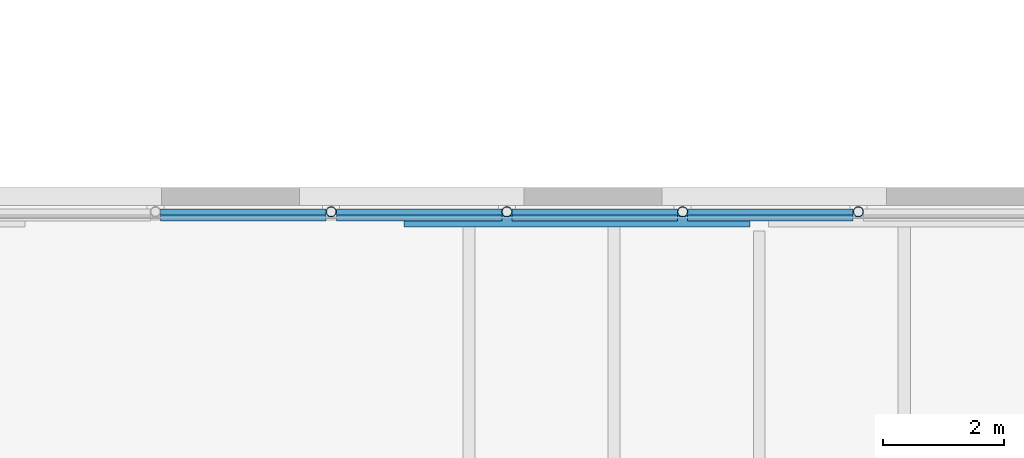
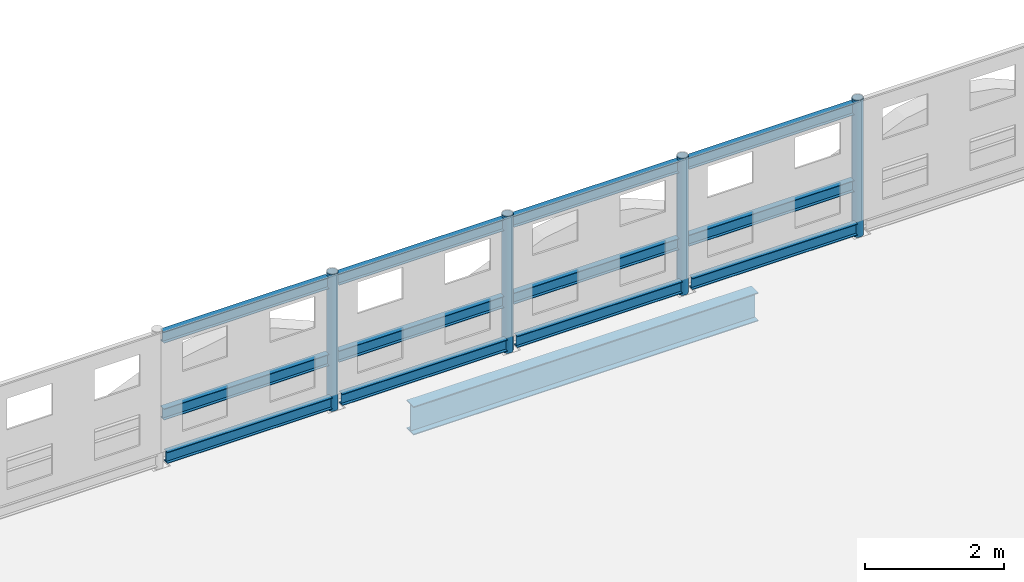
# One storey, part 33 of 91: 16 members, 1 beam.
"""IFC4 building model written with IfcOpenShell, lengths in metres."""

from ifc_helpers import new_model, si_unit, direction, frame, origin, origin_2d, place, context, subcontext, project, spatial, hollow_circle, i_section, extrude, material, material_profile, profile_set, type_object, element, save


model = new_model("IFC4")

# Units and contexts
model_context = context("Model", 3, precision=1e-05, world=origin(), true_north=direction((0.0, 1.0)))
body_context = subcontext(model_context, "Body", "Model", "MODEL_VIEW")
ifc_project = project(units=[si_unit("LENGTHUNIT", "METRE"), si_unit("AREAUNIT", "SQUARE_METRE"), si_unit("VOLUMEUNIT", "CUBIC_METRE"), si_unit("PLANEANGLEUNIT", "RADIAN"), si_unit("MASSUNIT", "GRAM", prefix="KILO")], contexts=[model_context])

# Site, building, storey
site_placement = place(None, origin())
site = spatial("IfcSite", under=ifc_project, at=site_placement, CompositionType="ELEMENT")
building_placement = place(site_placement, origin())
building = spatial("IfcBuilding", under=site, at=building_placement, Name="Ravi Spectrum Wholesale Market", CompositionType="ELEMENT")
storey_placement = place(building_placement, frame((0.0, 0.0, 16.199951171875)))
storey = spatial("IfcBuildingStorey", under=building, at=storey_placement, Name="ROOF PLANT LEVEL", CompositionType="ELEMENT", Elevation=16.199951171875)

# Members
ifc_material_1 = material(Name="Steel S355", Category="steel")
ifc_material_profile_1 = material_profile(ifc_material_1, hollow_circle(Radius=0.084228515625, WallThickness=0.00634765625, at=origin_2d()))
ifc_profile_set_1 = profile_set([ifc_material_profile_1], Name="Steel S355")
member_type_1 = type_object("IfcMemberType", Name="CHS 168.3x6.3 post", PredefinedType="POST", material=ifc_profile_set_1)
for number, where, z_axis, x_axis, name in (
    (1, (235.6396484375, 66.14990234375, 0.0), (0.0, 0.0, 1.0), (1.0, 0.0, 0.0), "CS-MB-ROOF-063"),
    (2, (232.732666015625, 66.14990234375, 0.0), (0.0, 0.0, 1.0), (1.0, 0.0, 0.0), "CS-MB-ROOF-064"),
    (3, (229.825927734375, 66.14990234375, 0.0), (0.0, 0.0, 1.0), (1.0, 0.0, 0.0), "CS-MB-ROOF-065"),
    (4, (226.9189453125, 66.14990234375, 0.0), (0.0, 0.0, 1.0), (1.0, 0.0, 0.0), "CS-MB-ROOF-066"),
):
    element("IfcMember", number, at=place(storey_placement, frame(where, z_axis=z_axis, x_axis=x_axis)), inside=storey, type_object=member_type_1, Name=name, PredefinedType="POST", context=body_context, shape_type="SweptSolid", body=[
        extrude(hollow_circle(Radius=0.084228515625, WallThickness=0.00634765625, at=origin_2d()), origin(), (0.0, 0.0, 1.0), 2.400146484375),
    ])
ifc_material_2 = material(Name="Steel S355", Category="steel")
ifc_material_profile_2 = material_profile(ifc_material_2, i_section(OverallWidth=0.10009765625, OverallDepth=0.199951171875, WebThickness=0.005615234375, FlangeThickness=0.008544921875, at=origin_2d()))
ifc_profile_set_2 = profile_set([ifc_material_profile_2], Name="Steel S355")
member_type_2 = type_object("IfcMemberType", Name="IPE 200 purlin", PredefinedType="PURLIN", material=ifc_profile_set_2)
for number, where, z_axis, x_axis, name in (
    (5, (235.555419921875, 66.14990234375, 0.900146484375), (-1.0, 0.0, 0.0), (0.0, -1.0, 0.0), "CS-MB-ROOF-273"),
    (6, (235.555419921875, 66.14990234375, 2.25), (-1.0, 0.0, 0.0), (0.0, -1.0, 0.0), "CS-MB-ROOF-274"),
    (7, (235.555419921875, 66.05078125, 0.199951171875), (-1.0, 0.0, 0.0), (0.0, -1.0, 0.0), "CS-MB-ROOF-275"),
):
    element("IfcMember", number, at=place(storey_placement, frame(where, z_axis=z_axis, x_axis=x_axis)), inside=storey, type_object=member_type_2, Name=name, PredefinedType="PURLIN", context=body_context, shape_type="SweptSolid", body=[
        extrude(i_section(OverallWidth=0.10009765625, OverallDepth=0.199951171875, WebThickness=0.005615234375, FlangeThickness=0.008544921875, at=origin_2d()), origin(), (0.0, 0.0, 1.0), 2.738525390625),
    ])
for number, where, z_axis, x_axis, name in (
    (8, (232.648681640625, 66.14990234375, 0.900146484375), (-1.0, 0.0, 0.0), (0.0, -1.0, 0.0), "CS-MB-ROOF-276"),
    (9, (232.648681640625, 66.14990234375, 2.25), (-1.0, 0.0, 0.0), (0.0, -1.0, 0.0), "CS-MB-ROOF-277"),
    (10, (232.648681640625, 66.05078125, 0.199951171875), (-1.0, 0.0, 0.0), (0.0, -1.0, 0.0), "CS-MB-ROOF-278"),
):
    element("IfcMember", number, at=place(storey_placement, frame(where, z_axis=z_axis, x_axis=x_axis)), inside=storey, type_object=member_type_2, Name=name, PredefinedType="PURLIN", context=body_context, shape_type="SweptSolid", body=[
        extrude(i_section(OverallWidth=0.10009765625, OverallDepth=0.199951171875, WebThickness=0.005615234375, FlangeThickness=0.008544921875, at=origin_2d()), origin(), (0.0, 0.0, 1.0), 2.73876953125),
    ])
for number, where, z_axis, x_axis, name in (
    (11, (229.74169921875, 66.14990234375, 0.900146484375), (-1.0, 0.0, 0.0), (0.0, -1.0, 0.0), "CS-MB-ROOF-279"),
    (12, (229.74169921875, 66.14990234375, 2.25), (-1.0, 0.0, 0.0), (0.0, -1.0, 0.0), "CS-MB-ROOF-280"),
    (13, (229.74169921875, 66.05078125, 0.199951171875), (-1.0, 0.0, 0.0), (0.0, -1.0, 0.0), "CS-MB-ROOF-281"),
    (14, (226.834716796875, 66.14990234375, 0.900146484375), (-1.0, 0.0, 0.0), (0.0, -1.0, 0.0), "CS-MB-ROOF-282"),
    (15, (226.834716796875, 66.14990234375, 2.25), (-1.0, 0.0, 0.0), (0.0, -1.0, 0.0), "CS-MB-ROOF-283"),
    (16, (226.834716796875, 66.05078125, 0.199951171875), (-1.0, 0.0, 0.0), (0.0, -1.0, 0.0), "CS-MB-ROOF-284"),
):
    element("IfcMember", number, at=place(storey_placement, frame(where, z_axis=z_axis, x_axis=x_axis)), inside=storey, type_object=member_type_2, Name=name, PredefinedType="PURLIN", context=body_context, shape_type="SweptSolid", body=[
        extrude(i_section(OverallWidth=0.10009765625, OverallDepth=0.199951171875, WebThickness=0.005615234375, FlangeThickness=0.008544921875, at=origin_2d()), origin(), (0.0, 0.0, 1.0), 2.738525390625),
    ])

# Beam
ifc_material_3 = material(Name="Steel S355", Category="steel")
ifc_material_profile_3 = material_profile(ifc_material_3, i_section(OverallWidth=0.199951171875, OverallDepth=0.5, WebThickness=0.01025390625, FlangeThickness=0.01611328125, at=origin_2d()))
ifc_profile_set_3 = profile_set([ifc_material_profile_3], Name="Steel S355")
beam_type = type_object("IfcBeamType", Name="IPE 500 beam", PredefinedType="BEAM", material=ifc_profile_set_3)
beam_placement = place(storey_placement, frame((228.125, 66.0, -0.5), z_axis=(1.0, 0.0, 0.0), x_axis=(0.0, 1.0, 0.0)))
element("IfcBeam", 17, at=beam_placement, inside=storey, type_object=beam_type, Name="CS-BM-ROOF-031", PredefinedType="BEAM", context=body_context, shape_type="SweptSolid", body=[
    extrude(i_section(OverallWidth=0.199951171875, OverallDepth=0.5, WebThickness=0.01025390625, FlangeThickness=0.01611328125, at=origin_2d()), origin(), (0.0, 0.0, 1.0), 5.72509765625),
])

save(model, "model.ifc")
